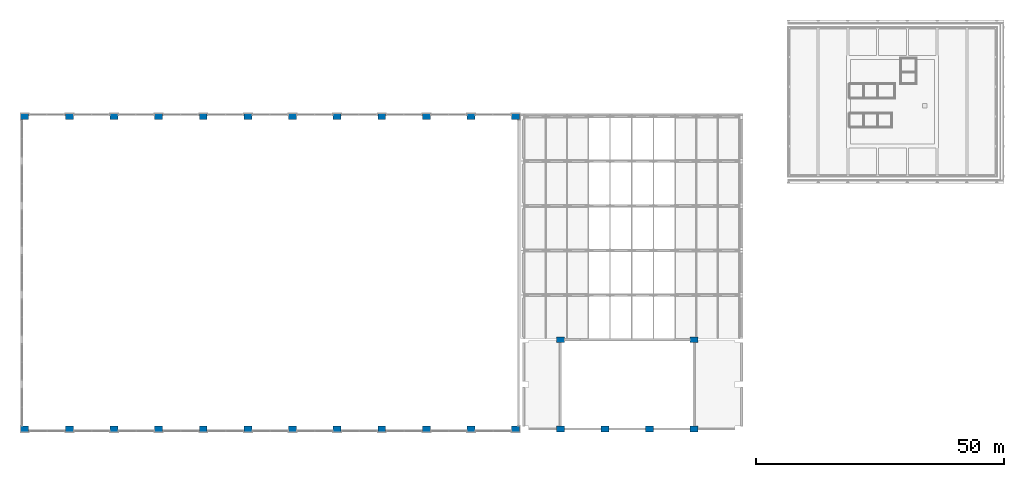
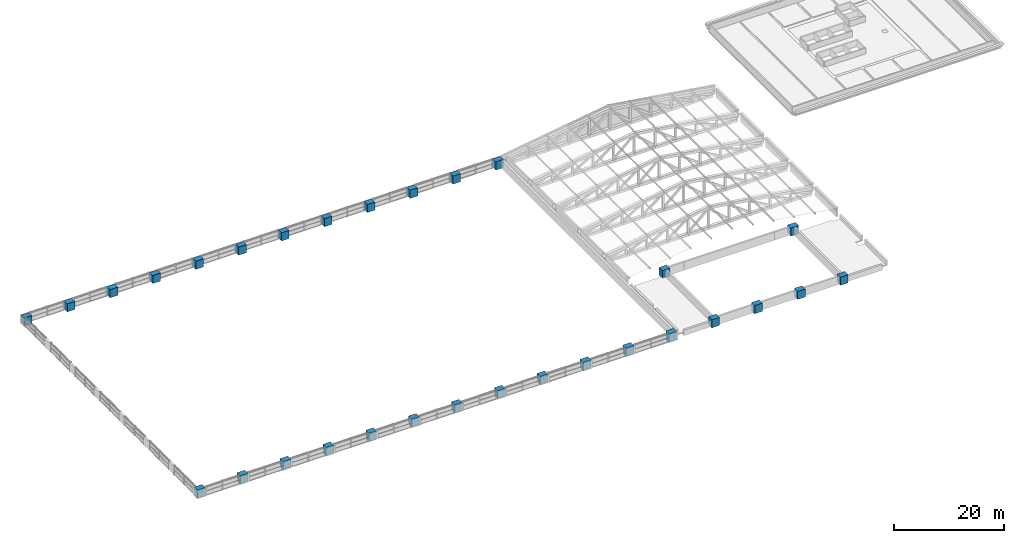
# One storey, part 1 of 32: 30 columns.
"""IFC4 building model written with IfcOpenShell, lengths in metres."""

from ifc_helpers import new_model, si_unit, direction, frame, origin, origin_2d, place, context, subcontext, project, spatial, rectangle, extrude, material, material_profile, profile_set, type_object, element, save


model = new_model("IFC4")

# Units and contexts
model_context = context("Model", 3, precision=1e-05, world=origin(), true_north=direction((0.0, 1.0)))
body_context = subcontext(model_context, "Body", "Model", "MODEL_VIEW")
ifc_project = project(units=[si_unit("LENGTHUNIT", "METRE"), si_unit("AREAUNIT", "SQUARE_METRE"), si_unit("VOLUMEUNIT", "CUBIC_METRE"), si_unit("PLANEANGLEUNIT", "RADIAN"), si_unit("MASSUNIT", "GRAM", prefix="KILO")], contexts=[model_context])

# Site, building, storey
site_placement = place(None, origin())
site = spatial("IfcSite", under=ifc_project, at=site_placement, CompositionType="ELEMENT")
building_placement = place(site_placement, origin())
building = spatial("IfcBuilding", under=site, at=building_placement, Name="Aravalli Gate Trade Fair Centre", CompositionType="ELEMENT")
storey_placement = place(building_placement, frame((0.0, 0.0, 23.39990234375)))
storey = spatial("IfcBuildingStorey", under=building, at=storey_placement, Name="ROOF LEVEL 1", CompositionType="ELEMENT", Elevation=23.39990234375)

# Columns
ifc_material = material(Name="Concrete M45", Category="concrete")
ifc_material_profile_1 = material_profile(ifc_material, rectangle(XDim=1.60009765625, YDim=1.199951171875, at=origin_2d()), Name="RC 1600x1200")
ifc_profile_set_1 = profile_set([ifc_material_profile_1], Name="Concrete M45")
column_type_1 = type_object("IfcColumnType", Name="Congress RC column 1600 x 1200", PredefinedType="COLUMN", material=ifc_profile_set_1)
for number, where, z_axis, x_axis, name in (
    (1, (114.0, 46.0, 0.0), (0.0, 0.0, 1.0), (1.0, 0.0, 0.0), "Congress column 114.0/46 ROOF LEVEL 1"),
    (2, (123.0, 46.0, 0.0), (0.0, 0.0, 1.0), (1.0, 0.0, 0.0), "Congress column 123.0/46 ROOF LEVEL 1"),
    (3, (132.0, 46.0, 0.0), (0.0, 0.0, 1.0), (1.0, 0.0, 0.0), "Congress column 132.0/46 ROOF LEVEL 1"),
    (4, (141.0, 46.0, 0.0), (0.0, 0.0, 1.0), (1.0, 0.0, 0.0), "Congress column 141.0/46 ROOF LEVEL 1"),
):
    element("IfcColumn", number, at=place(storey_placement, frame(where, z_axis=z_axis, x_axis=x_axis)), inside=storey, type_object=column_type_1, Name=name, PredefinedType="COLUMN", context=body_context, shape_type="SweptSolid", body=[
        extrude(rectangle(XDim=1.60009765625, YDim=1.199951171875, at=origin_2d()), origin(), (0.0, 0.0, 1.0), 1.800048828125),
    ])
ifc_material_profile_2 = material_profile(ifc_material, rectangle(XDim=1.60009765625, YDim=1.199951171875, at=origin_2d()), Name="RC 1600x1200")
ifc_profile_set_2 = profile_set([ifc_material_profile_2], Name="Concrete M45")
column_type_2 = type_object("IfcColumnType", Name="Congress RC column 1600 x 1200, heavy stack", PredefinedType="COLUMN", material=ifc_profile_set_2)
for number, where, z_axis, x_axis, name in (
    (5, (114.0, 64.0, 0.0), (0.0, 0.0, 1.0), (1.0, 0.0, 0.0), "Congress column 114.0/64 ROOF LEVEL 1"),
    (6, (141.0, 64.0, 0.0), (0.0, 0.0, 1.0), (1.0, 0.0, 0.0), "Congress column 141.0/64 ROOF LEVEL 1"),
):
    element("IfcColumn", number, at=place(storey_placement, frame(where, z_axis=z_axis, x_axis=x_axis)), inside=storey, type_object=column_type_2, Name=name, PredefinedType="COLUMN", context=body_context, shape_type="SweptSolid", body=[
        extrude(rectangle(XDim=1.60009765625, YDim=1.199951171875, at=origin_2d()), origin(), (0.0, 0.0, 1.0), 1.800048828125),
    ])
ifc_material_profile_3 = material_profile(ifc_material, rectangle(XDim=1.60009765625, YDim=1.199951171875, at=origin_2d()), Name="RC 1600x1200")
ifc_profile_set_3 = profile_set([ifc_material_profile_3], Name="Concrete M45")
column_type_3 = type_object("IfcColumnType", Name="Hall end-line spine column HC2", PredefinedType="COLUMN", material=ifc_profile_set_3)
for number, where, z_axis, x_axis, name in (
    (7, (6.0, 46.0, 0.0), (0.0, 0.0, 1.0), (1.0, 0.0, 0.0), "Spine column A1 ROOF LEVEL 1"),
    (8, (6.0, 109.0, 0.0), (0.0, 0.0, 1.0), (1.0, 0.0, 0.0), "Spine column H1 ROOF LEVEL 1"),
    (9, (105.0, 46.0, 0.0), (0.0, 0.0, 1.0), (1.0, 0.0, 0.0), "Spine column A12 ROOF LEVEL 1"),
    (10, (105.0, 109.0, 0.0), (0.0, 0.0, 1.0), (1.0, 0.0, 0.0), "Spine column H12 ROOF LEVEL 1"),
):
    element("IfcColumn", number, at=place(storey_placement, frame(where, z_axis=z_axis, x_axis=x_axis)), inside=storey, type_object=column_type_3, Name=name, PredefinedType="COLUMN", context=body_context, shape_type="SweptSolid", body=[
        extrude(rectangle(XDim=1.60009765625, YDim=1.199951171875, at=origin_2d()), origin(), (0.0, 0.0, 1.0), 1.800048828125),
    ])
ifc_material_profile_4 = material_profile(ifc_material, rectangle(XDim=1.60009765625, YDim=1.199951171875, at=origin_2d()), Name="RC 1600x1200")
ifc_profile_set_4 = profile_set([ifc_material_profile_4], Name="Concrete M45")
column_type_4 = type_object("IfcColumnType", Name="Hall spine column HC1", PredefinedType="COLUMN", material=ifc_profile_set_4)
for number, where, z_axis, x_axis, name in (
    (11, (15.0, 46.0, 0.0), (0.0, 0.0, 1.0), (1.0, 0.0, 0.0), "Spine column A2 ROOF LEVEL 1"),
    (12, (15.0, 109.0, 0.0), (0.0, 0.0, 1.0), (1.0, 0.0, 0.0), "Spine column H2 ROOF LEVEL 1"),
    (13, (24.0, 46.0, 0.0), (0.0, 0.0, 1.0), (1.0, 0.0, 0.0), "Spine column A3 ROOF LEVEL 1"),
    (14, (24.0, 109.0, 0.0), (0.0, 0.0, 1.0), (1.0, 0.0, 0.0), "Spine column H3 ROOF LEVEL 1"),
    (15, (33.0, 46.0, 0.0), (0.0, 0.0, 1.0), (1.0, 0.0, 0.0), "Spine column A4 ROOF LEVEL 1"),
    (16, (33.0, 109.0, 0.0), (0.0, 0.0, 1.0), (1.0, 0.0, 0.0), "Spine column H4 ROOF LEVEL 1"),
    (17, (42.0, 46.0, 0.0), (0.0, 0.0, 1.0), (1.0, 0.0, 0.0), "Spine column A5 ROOF LEVEL 1"),
    (18, (42.0, 109.0, 0.0), (0.0, 0.0, 1.0), (1.0, 0.0, 0.0), "Spine column H5 ROOF LEVEL 1"),
    (19, (51.0, 46.0, 0.0), (0.0, 0.0, 1.0), (1.0, 0.0, 0.0), "Spine column A6 ROOF LEVEL 1"),
    (20, (51.0, 109.0, 0.0), (0.0, 0.0, 1.0), (1.0, 0.0, 0.0), "Spine column H6 ROOF LEVEL 1"),
    (21, (60.0, 46.0, 0.0), (0.0, 0.0, 1.0), (1.0, 0.0, 0.0), "Spine column A7 ROOF LEVEL 1"),
    (22, (60.0, 109.0, 0.0), (0.0, 0.0, 1.0), (1.0, 0.0, 0.0), "Spine column H7 ROOF LEVEL 1"),
    (23, (69.0, 46.0, 0.0), (0.0, 0.0, 1.0), (1.0, 0.0, 0.0), "Spine column A8 ROOF LEVEL 1"),
    (24, (69.0, 109.0, 0.0), (0.0, 0.0, 1.0), (1.0, 0.0, 0.0), "Spine column H8 ROOF LEVEL 1"),
    (25, (78.0, 46.0, 0.0), (0.0, 0.0, 1.0), (1.0, 0.0, 0.0), "Spine column A9 ROOF LEVEL 1"),
    (26, (78.0, 109.0, 0.0), (0.0, 0.0, 1.0), (1.0, 0.0, 0.0), "Spine column H9 ROOF LEVEL 1"),
    (27, (87.0, 46.0, 0.0), (0.0, 0.0, 1.0), (1.0, 0.0, 0.0), "Spine column A10 ROOF LEVEL 1"),
    (28, (87.0, 109.0, 0.0), (0.0, 0.0, 1.0), (1.0, 0.0, 0.0), "Spine column H10 ROOF LEVEL 1"),
    (29, (96.0, 46.0, 0.0), (0.0, 0.0, 1.0), (1.0, 0.0, 0.0), "Spine column A11 ROOF LEVEL 1"),
    (30, (96.0, 109.0, 0.0), (0.0, 0.0, 1.0), (1.0, 0.0, 0.0), "Spine column H11 ROOF LEVEL 1"),
):
    element("IfcColumn", number, at=place(storey_placement, frame(where, z_axis=z_axis, x_axis=x_axis)), inside=storey, type_object=column_type_4, Name=name, PredefinedType="COLUMN", context=body_context, shape_type="SweptSolid", body=[
        extrude(rectangle(XDim=1.60009765625, YDim=1.199951171875, at=origin_2d()), origin(), (0.0, 0.0, 1.0), 1.800048828125),
    ])

save(model, "model.ifc")
